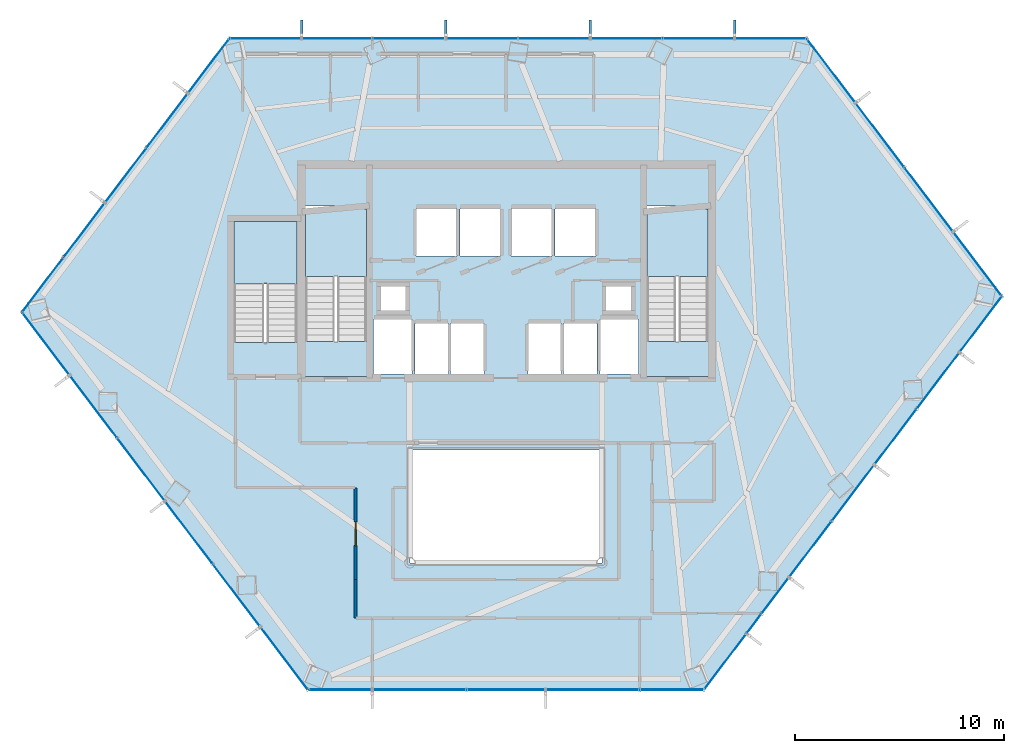
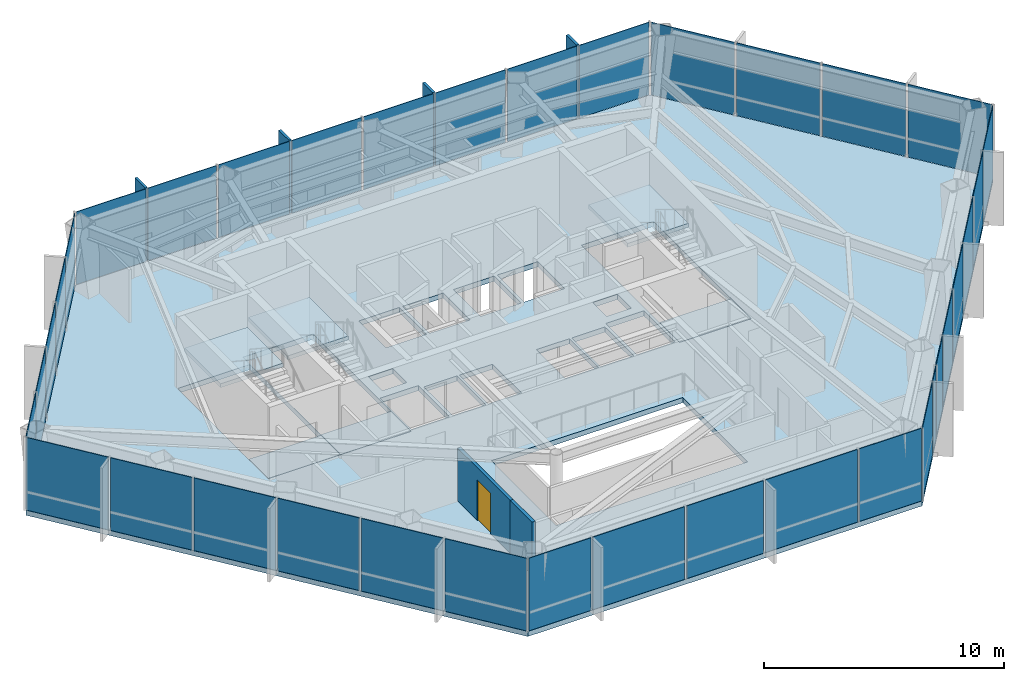
# One storey, part 21 of 25: 36 plates, 7 slabs, 4 members, 2 walls, 1 door, 1 opening, 9 elements without a shape of their own.
"""IFC4 building model written with IfcOpenShell, lengths in metres."""

from ifc_helpers import new_model, si_unit, direction, frame, frame_2d, origin, origin_2d, place, context, subcontext, project, spatial, polyline, rectangle, outline, extrude, material, layer, layer_set, material_profile, profile_set, type_object, element, fill, aggregate, save


model = new_model("IFC4")

# Units and contexts
model_context = context("Model", 3, precision=1e-05, world=origin(), true_north=direction((0.0, 1.0)))
body_context = subcontext(model_context, "Body", "Model", "MODEL_VIEW")
ifc_project = project(units=[si_unit("LENGTHUNIT", "METRE"), si_unit("AREAUNIT", "SQUARE_METRE"), si_unit("VOLUMEUNIT", "CUBIC_METRE"), si_unit("PLANEANGLEUNIT", "RADIAN"), si_unit("MASSUNIT", "GRAM", prefix="KILO")], contexts=[model_context])

# Site, building, storey
site_placement = place(None, origin())
site = spatial("IfcSite", under=ifc_project, at=site_placement, CompositionType="ELEMENT")
building_placement = place(site_placement, origin())
building = spatial("IfcBuilding", under=site, at=building_placement, Name="Zarrinselat Tower", CompositionType="ELEMENT")
storey_placement = place(building_placement, frame((0.0, 0.0, 105.06005859375)))
storey = spatial("IfcBuildingStorey", under=building, at=storey_placement, Name="L25", CompositionType="ELEMENT", Elevation=105.06005859375)

# Curtain wall, members, plates
ifc_material_1 = material(Name="Extruded Aluminium Alloy EN AW-6063 T6", Category="aluminium")
ifc_layer_1 = layer(ifc_material_1, 0.18505859375)
ifc_layer_set_1 = layer_set([ifc_layer_1], Name="Extruded Aluminium Alloy EN AW-6063 T6")
curtain_wall_type = type_object("IfcCurtainWallType", Name="CWS-OFF", PredefinedType="NOTDEFINED", material=ifc_layer_set_1)
curtain_wall_1_placement = place(storey_placement, origin())
curtain_wall_1 = element("IfcCurtainWall", 1, at=curtain_wall_1_placement, inside=storey, type_object=curtain_wall_type, Name="L25 Unitised Curtain Wall CW-L25-E01", PredefinedType="NOTDEFINED")
ifc_material_2 = material(Name="Honed Cream Travertine Stone", Category="masonry")
ifc_material_profile = material_profile(ifc_material_2, rectangle(XDim=0.1201171875, YDim=0.85009765625, at=origin_2d()), Name="FIN 850x120")
ifc_profile_set = profile_set([ifc_material_profile], Name="Honed Cream Travertine Stone")
member_type = type_object("IfcMemberType", Name="MEM-STONE-FIN", PredefinedType="USERDEFINED", material=ifc_profile_set)
member_1_placement = place(storey_placement, frame((49.340576171875, 49.9599609375, 0.0), z_axis=(0.0, 0.0, 1.0), x_axis=(1.0, 0.0, 0.0)))
member_1 = element("IfcMember", 2, at=member_1_placement, type_object=member_type, Name="L25 Stone Shading Fin CW-L25-E01-01", ObjectType="FIN", PredefinedType="USERDEFINED", context=body_context, shape_type="SweptSolid", body=[
    extrude(rectangle(XDim=0.1201171875, YDim=0.85009765625, at=origin_2d()), origin(), (0.0, 0.0, 1.0), 3.72998046875),
])
member_2_placement = place(storey_placement, frame((42.432861328125, 49.9599609375, 0.0), z_axis=(0.0, 0.0, 1.0), x_axis=(1.0, 0.0, 0.0)))
member_2 = element("IfcMember", 3, at=member_2_placement, type_object=member_type, Name="L25 Stone Shading Fin CW-L25-E01-03", ObjectType="FIN", PredefinedType="USERDEFINED", context=body_context, shape_type="SweptSolid", body=[
    extrude(rectangle(XDim=0.1201171875, YDim=0.85009765625, at=origin_2d()), origin(), (0.0, 0.0, 1.0), 3.72998046875),
])
member_3_placement = place(storey_placement, frame((35.525146484375, 49.9599609375, 0.0), z_axis=(0.0, 0.0, 1.0), x_axis=(1.0, 0.0, 0.0)))
member_3 = element("IfcMember", 4, at=member_3_placement, type_object=member_type, Name="L25 Stone Shading Fin CW-L25-E01-05", ObjectType="FIN", PredefinedType="USERDEFINED", context=body_context, shape_type="SweptSolid", body=[
    extrude(rectangle(XDim=0.1201171875, YDim=0.85009765625, at=origin_2d()), origin(), (0.0, 0.0, 1.0), 3.72998046875),
])
member_4_placement = place(storey_placement, frame((28.617431640625, 49.9599609375, 0.0), z_axis=(0.0, 0.0, 1.0), x_axis=(1.0, 0.0, 0.0)))
member_4 = element("IfcMember", 5, at=member_4_placement, type_object=member_type, Name="L25 Stone Shading Fin CW-L25-E01-07", ObjectType="FIN", PredefinedType="USERDEFINED", context=body_context, shape_type="SweptSolid", body=[
    extrude(rectangle(XDim=0.1201171875, YDim=0.85009765625, at=origin_2d()), origin(), (0.0, 0.0, 1.0), 3.72998046875),
])
ifc_material_3 = material(Name="Double Low-E Laminated Solar Glass", Category="glass")
ifc_layer_2 = layer(ifc_material_3, 0.031982421875)
ifc_layer_set_2 = layer_set([ifc_layer_2], Name="Double Low-E Laminated Solar Glass")
plate_type = type_object("IfcPlateType", Name="PLT-CW-GL32", PredefinedType="CURTAIN_PANEL", material=ifc_layer_set_2)
plate_1_placement = place(storey_placement, frame((51.067626953125, 49.5, 0.02001953125), z_axis=(0.0, 0.0, 1.0), x_axis=(-1.0, 0.0, 0.0)))
plate_1 = element("IfcPlate", 6, at=plate_1_placement, type_object=plate_type, Name="CW-L25-E01 Vision Glass Panel 1", PredefinedType="CURTAIN_PANEL", context=body_context, shape_type="SweptSolid", body=[
    extrude(rectangle(XDim=3.35400390625, YDim=0.031982421875, at=origin_2d()), origin(), (0.0, 0.0, 1.0), 3.68994140625),
])
plate_2_placement = place(storey_placement, frame((47.61376953125, 49.5, 0.02001953125), z_axis=(0.0, 0.0, 1.0), x_axis=(-1.0, 0.0, 0.0)))
plate_2 = element("IfcPlate", 7, at=plate_2_placement, type_object=plate_type, Name="CW-L25-E01 Vision Glass Panel 2", PredefinedType="CURTAIN_PANEL", context=body_context, shape_type="SweptSolid", body=[
    extrude(rectangle(XDim=3.35400390625, YDim=0.031982421875, at=origin_2d()), origin(), (0.0, 0.0, 1.0), 3.68994140625),
])
plate_3_placement = place(storey_placement, frame((44.159912109375, 49.5, 0.02001953125), z_axis=(0.0, 0.0, 1.0), x_axis=(-1.0, 0.0, 0.0)))
plate_3 = element("IfcPlate", 8, at=plate_3_placement, type_object=plate_type, Name="CW-L25-E01 Vision Glass Panel 3", PredefinedType="CURTAIN_PANEL", context=body_context, shape_type="SweptSolid", body=[
    extrude(rectangle(XDim=3.35400390625, YDim=0.031982421875, at=origin_2d()), origin(), (0.0, 0.0, 1.0), 3.68994140625),
])
plate_4_placement = place(storey_placement, frame((40.7060546875, 49.5, 0.02001953125), z_axis=(0.0, 0.0, 1.0), x_axis=(-1.0, 0.0, 0.0)))
plate_4 = element("IfcPlate", 9, at=plate_4_placement, type_object=plate_type, Name="CW-L25-E01 Vision Glass Panel 4", PredefinedType="CURTAIN_PANEL", context=body_context, shape_type="SweptSolid", body=[
    extrude(rectangle(XDim=3.35400390625, YDim=0.031982421875, at=origin_2d()), origin(), (0.0, 0.0, 1.0), 3.68994140625),
])
plate_5_placement = place(storey_placement, frame((37.252197265625, 49.5, 0.02001953125), z_axis=(0.0, 0.0, 1.0), x_axis=(-1.0, 0.0, 0.0)))
plate_5 = element("IfcPlate", 10, at=plate_5_placement, type_object=plate_type, Name="CW-L25-E01 Vision Glass Panel 5", PredefinedType="CURTAIN_PANEL", context=body_context, shape_type="SweptSolid", body=[
    extrude(rectangle(XDim=3.35400390625, YDim=0.031982421875, at=origin_2d()), origin(), (0.0, 0.0, 1.0), 3.68994140625),
])
plate_6_placement = place(storey_placement, frame((33.7626953125, 49.5, 0.02001953125), z_axis=(0.0, 0.0, 1.0), x_axis=(-1.0, 0.0, 0.0)))
plate_6 = element("IfcPlate", 11, at=plate_6_placement, type_object=plate_type, Name="CW-L25-E01 Vision Glass Panel 6", PredefinedType="CURTAIN_PANEL", context=body_context, shape_type="SweptSolid", body=[
    extrude(rectangle(XDim=3.42529296875, YDim=0.031982421875, at=origin_2d()), origin(), (0.0, 0.0, 1.0), 3.68994140625),
])
plate_7_placement = place(storey_placement, frame((30.30859375, 49.5, 0.02001953125), z_axis=(0.0, 0.0, 1.0), x_axis=(-1.0, 0.0, 0.0)))
plate_7 = element("IfcPlate", 12, at=plate_7_placement, type_object=plate_type, Name="CW-L25-E01 Vision Glass Panel 7", PredefinedType="CURTAIN_PANEL", context=body_context, shape_type="SweptSolid", body=[
    extrude(rectangle(XDim=3.282470703125, YDim=0.031982421875, at=origin_2d()), origin(), (0.0, 0.0, 1.0), 3.68994140625),
])
plate_8_placement = place(storey_placement, frame((26.890380859375, 49.5, 0.02001953125), z_axis=(0.0, 0.0, 1.0), x_axis=(-1.0, 0.0, 0.0)))
plate_8 = element("IfcPlate", 13, at=plate_8_placement, type_object=plate_type, Name="CW-L25-E01 Vision Glass Panel 8", PredefinedType="CURTAIN_PANEL", context=body_context, shape_type="SweptSolid", body=[
    extrude(rectangle(XDim=3.35400390625, YDim=0.031982421875, at=origin_2d()), origin(), (0.0, 0.0, 1.0), 3.68994140625),
])
aggregate(curtain_wall_1, [member_1, member_2, member_3, member_4, plate_1, plate_2, plate_3, plate_4, plate_5, plate_6, plate_7, plate_8])

# Curtain wall, plates
curtain_wall_2_placement = place(storey_placement, origin())
curtain_wall_2 = element("IfcCurtainWall", 14, at=curtain_wall_2_placement, inside=storey, type_object=curtain_wall_type, Name="L25 Unitised Curtain Wall CW-L25-E02", PredefinedType="NOTDEFINED")
plate_9_placement = place(storey_placement, frame((24.1708984375, 48.189697265625, 0.02001953125), z_axis=(0.0, 0.0, 1.0), x_axis=(-0.603854877249, -0.7970942775, 0.0)))
plate_9 = element("IfcPlate", 15, at=plate_9_placement, type_object=plate_type, Name="CW-L25-E02 Vision Glass Panel 1", PredefinedType="CURTAIN_PANEL", context=body_context, shape_type="SweptSolid", body=[
    extrude(rectangle(XDim=3.18798828125, YDim=0.031982421875, at=origin_2d()), origin(), (0.0, 0.0, 1.0), 3.68994140625),
])
plate_10_placement = place(storey_placement, frame((22.185302734375, 45.56884765625, 0.02001953125), z_axis=(0.0, 0.0, 1.0), x_axis=(-0.603854877249, -0.7970942775, 0.0)))
plate_10 = element("IfcPlate", 16, at=plate_10_placement, type_object=plate_type, Name="CW-L25-E02 Vision Glass Panel 2", PredefinedType="CURTAIN_PANEL", context=body_context, shape_type="SweptSolid", body=[
    extrude(rectangle(XDim=3.18798828125, YDim=0.031982421875, at=origin_2d()), origin(), (0.0, 0.0, 1.0), 3.68994140625),
])
plate_11_placement = place(storey_placement, frame((20.199951171875, 42.947998046875, 0.02001953125), z_axis=(0.0, 0.0, 1.0), x_axis=(-0.603854877249, -0.7970942775, 0.0)))
plate_11 = element("IfcPlate", 17, at=plate_11_placement, type_object=plate_type, Name="CW-L25-E02 Vision Glass Panel 3", PredefinedType="CURTAIN_PANEL", context=body_context, shape_type="SweptSolid", body=[
    extrude(rectangle(XDim=3.18798828125, YDim=0.031982421875, at=origin_2d()), origin(), (0.0, 0.0, 1.0), 3.68994140625),
])
plate_12_placement = place(storey_placement, frame((18.214599609375, 40.3271484375, 0.02001953125), z_axis=(0.0, 0.0, 1.0), x_axis=(-0.603854877249, -0.7970942775, 0.0)))
plate_12 = element("IfcPlate", 18, at=plate_12_placement, type_object=plate_type, Name="CW-L25-E02 Vision Glass Panel 4", PredefinedType="CURTAIN_PANEL", context=body_context, shape_type="SweptSolid", body=[
    extrude(rectangle(XDim=3.18798828125, YDim=0.031982421875, at=origin_2d()), origin(), (0.0, 0.0, 1.0), 3.68994140625),
])
plate_13_placement = place(storey_placement, frame((16.22900390625, 37.706298828125, 0.02001953125), z_axis=(0.0, 0.0, 1.0), x_axis=(-0.603854877249, -0.7970942775, 0.0)))
plate_13 = element("IfcPlate", 19, at=plate_13_placement, type_object=plate_type, Name="CW-L25-E02 Vision Glass Panel 5", PredefinedType="CURTAIN_PANEL", context=body_context, shape_type="SweptSolid", body=[
    extrude(rectangle(XDim=3.18798828125, YDim=0.031982421875, at=origin_2d()), origin(), (0.0, 0.0, 1.0), 3.68994140625),
])
aggregate(curtain_wall_2, [plate_9, plate_10, plate_11, plate_12, plate_13])

curtain_wall_3_placement = place(storey_placement, origin())
curtain_wall_3 = element("IfcCurtainWall", 20, at=curtain_wall_3_placement, inside=storey, type_object=curtain_wall_type, Name="L25 Unitised Curtain Wall CW-L25-E03", PredefinedType="NOTDEFINED")
plate_14_placement = place(storey_placement, frame((16.377197265625, 34.89013671875, 0.02001953125), z_axis=(0.0, 0.0, 1.0), x_axis=(0.603857772927, -0.797092083812, 0.0)))
plate_14 = element("IfcPlate", 21, at=plate_14_placement, type_object=plate_type, Name="CW-L25-E03 Vision Glass Panel 1", PredefinedType="CURTAIN_PANEL", context=body_context, shape_type="SweptSolid", body=[
    extrude(rectangle(XDim=3.678466796875, YDim=0.031982421875, at=origin_2d()), origin(), (0.0, 0.0, 1.0), 3.68994140625),
])
plate_15_placement = place(storey_placement, frame((18.65869140625, 31.87841796875, 0.02001953125), z_axis=(0.0, 0.0, 1.0), x_axis=(0.603857772927, -0.797092083812, 0.0)))
plate_15 = element("IfcPlate", 22, at=plate_15_placement, type_object=plate_type, Name="CW-L25-E03 Vision Glass Panel 2", PredefinedType="CURTAIN_PANEL", context=body_context, shape_type="SweptSolid", body=[
    extrude(rectangle(XDim=3.678466796875, YDim=0.031982421875, at=origin_2d()), origin(), (0.0, 0.0, 1.0), 3.68994140625),
])
plate_16_placement = place(storey_placement, frame((20.9404296875, 28.86669921875, 0.02001953125), z_axis=(0.0, 0.0, 1.0), x_axis=(0.603857772927, -0.797092083812, 0.0)))
plate_16 = element("IfcPlate", 23, at=plate_16_placement, type_object=plate_type, Name="CW-L25-E03 Vision Glass Panel 3", PredefinedType="CURTAIN_PANEL", context=body_context, shape_type="SweptSolid", body=[
    extrude(rectangle(XDim=3.678466796875, YDim=0.031982421875, at=origin_2d()), origin(), (0.0, 0.0, 1.0), 3.68994140625),
])
plate_17_placement = place(storey_placement, frame((23.22216796875, 25.85498046875, 0.02001953125), z_axis=(0.0, 0.0, 1.0), x_axis=(0.603857772927, -0.797092083812, 0.0)))
plate_17 = element("IfcPlate", 24, at=plate_17_placement, type_object=plate_type, Name="CW-L25-E03 Vision Glass Panel 4", PredefinedType="CURTAIN_PANEL", context=body_context, shape_type="SweptSolid", body=[
    extrude(rectangle(XDim=3.678466796875, YDim=0.031982421875, at=origin_2d()), origin(), (0.0, 0.0, 1.0), 3.68994140625),
])
plate_18_placement = place(storey_placement, frame((25.503662109375, 22.84326171875, 0.02001953125), z_axis=(0.0, 0.0, 1.0), x_axis=(0.603857772927, -0.797092083812, 0.0)))
plate_18 = element("IfcPlate", 25, at=plate_18_placement, type_object=plate_type, Name="CW-L25-E03 Vision Glass Panel 5", PredefinedType="CURTAIN_PANEL", context=body_context, shape_type="SweptSolid", body=[
    extrude(rectangle(XDim=3.678466796875, YDim=0.031982421875, at=origin_2d()), origin(), (0.0, 0.0, 1.0), 3.68994140625),
])
plate_19_placement = place(storey_placement, frame((27.785400390625, 19.83154296875, 0.02001953125), z_axis=(0.0, 0.0, 1.0), x_axis=(0.603857772927, -0.797092083812, 0.0)))
plate_19 = element("IfcPlate", 26, at=plate_19_placement, type_object=plate_type, Name="CW-L25-E03 Vision Glass Panel 6", PredefinedType="CURTAIN_PANEL", context=body_context, shape_type="SweptSolid", body=[
    extrude(rectangle(XDim=3.678466796875, YDim=0.031982421875, at=origin_2d()), origin(), (0.0, 0.0, 1.0), 3.68994140625),
])
aggregate(curtain_wall_3, [plate_14, plate_15, plate_16, plate_17, plate_18, plate_19])

curtain_wall_4_placement = place(storey_placement, origin())
curtain_wall_4 = element("IfcCurtainWall", 27, at=curtain_wall_4_placement, inside=storey, type_object=curtain_wall_type, Name="L25 Unitised Curtain Wall CW-L25-E04", PredefinedType="NOTDEFINED")
plate_20_placement = place(storey_placement, frame((30.463134765625, 18.32568359375, 0.02001953125), z_axis=(0.0, 0.0, 1.0), x_axis=(1.0, 0.0, 0.0)))
plate_20 = element("IfcPlate", 28, at=plate_20_placement, type_object=plate_type, Name="CW-L25-E04 Vision Glass Panel 1", PredefinedType="CURTAIN_PANEL", context=body_context, shape_type="SweptSolid", body=[
    extrude(rectangle(XDim=2.973876953125, YDim=0.031982421875, at=origin_2d()), origin(), (0.0, 0.0, 1.0), 3.68994140625),
])
plate_21_placement = place(storey_placement, frame((34.252685546875, 18.32568359375, 0.02001953125), z_axis=(0.0, 0.0, 1.0), x_axis=(1.0, 0.0, 0.0)))
plate_21 = element("IfcPlate", 29, at=plate_21_placement, type_object=plate_type, Name="CW-L25-E04 Vision Glass Panel 2", PredefinedType="CURTAIN_PANEL", context=body_context, shape_type="SweptSolid", body=[
    extrude(rectangle(XDim=4.4052734375, YDim=0.031982421875, at=origin_2d()), origin(), (0.0, 0.0, 1.0), 3.68994140625),
])
plate_22_placement = place(storey_placement, frame((38.39990234375, 18.32568359375, 0.02001953125), z_axis=(0.0, 0.0, 1.0), x_axis=(1.0, 0.0, 0.0)))
plate_22 = element("IfcPlate", 30, at=plate_22_placement, type_object=plate_type, Name="CW-L25-E04 Vision Glass Panel 3", PredefinedType="CURTAIN_PANEL", context=body_context, shape_type="SweptSolid", body=[
    extrude(rectangle(XDim=3.689697265625, YDim=0.031982421875, at=origin_2d()), origin(), (0.0, 0.0, 1.0), 3.68994140625),
])
plate_23_placement = place(storey_placement, frame((42.54736328125, 18.32568359375, 0.02001953125), z_axis=(0.0, 0.0, 1.0), x_axis=(1.0, 0.0, 0.0)))
plate_23 = element("IfcPlate", 31, at=plate_23_placement, type_object=plate_type, Name="CW-L25-E04 Vision Glass Panel 4", PredefinedType="CURTAIN_PANEL", context=body_context, shape_type="SweptSolid", body=[
    extrude(rectangle(XDim=4.4052734375, YDim=0.031982421875, at=origin_2d()), origin(), (0.0, 0.0, 1.0), 3.68994140625),
])
plate_24_placement = place(storey_placement, frame((46.3369140625, 18.32568359375, 0.02001953125), z_axis=(0.0, 0.0, 1.0), x_axis=(1.0, 0.0, 0.0)))
plate_24 = element("IfcPlate", 32, at=plate_24_placement, type_object=plate_type, Name="CW-L25-E04 Vision Glass Panel 5", PredefinedType="CURTAIN_PANEL", context=body_context, shape_type="SweptSolid", body=[
    extrude(rectangle(XDim=2.973876953125, YDim=0.031982421875, at=origin_2d()), origin(), (0.0, 0.0, 1.0), 3.68994140625),
])
aggregate(curtain_wall_4, [plate_20, plate_21, plate_22, plate_23, plate_24])

curtain_wall_5_placement = place(storey_placement, origin())
curtain_wall_5 = element("IfcCurtainWall", 33, at=curtain_wall_5_placement, inside=storey, type_object=curtain_wall_type, Name="L25 Unitised Curtain Wall CW-L25-E05", PredefinedType="NOTDEFINED")
plate_25_placement = place(storey_placement, frame((48.89306640625, 19.6708984375, 0.02001953125), z_axis=(0.0, 0.0, 1.0), x_axis=(0.603858013909, 0.79709190125, 0.0)))
plate_25 = element("IfcPlate", 34, at=plate_25_placement, type_object=plate_type, Name="CW-L25-E05 Vision Glass Panel 1", PredefinedType="CURTAIN_PANEL", context=body_context, shape_type="SweptSolid", body=[
    extrude(rectangle(XDim=3.275634765625, YDim=0.031982421875, at=origin_2d()), origin(), (0.0, 0.0, 1.0), 3.68994140625),
])
plate_26_placement = place(storey_placement, frame((50.271240234375, 21.489990234375, 0.02001953125), z_axis=(0.0, 0.0, 1.0), x_axis=(0.603858013909, 0.79709190125, 0.0)))
plate_26 = element("IfcPlate", 35, at=plate_26_placement, type_object=plate_type, Name="CW-L25-E05 Vision Glass Panel 2", PredefinedType="CURTAIN_PANEL", context=body_context, shape_type="SweptSolid", body=[
    extrude(rectangle(XDim=1.088623046875, YDim=0.031982421875, at=origin_2d()), origin(), (0.0, 0.0, 1.0), 3.68994140625),
])
plate_27_placement = place(storey_placement, frame((51.290283203125, 22.83544921875, 0.02001953125), z_axis=(0.0, 0.0, 1.0), x_axis=(0.603858013909, 0.79709190125, 0.0)))
plate_27 = element("IfcPlate", 36, at=plate_27_placement, type_object=plate_type, Name="CW-L25-E05 Vision Glass Panel 3", PredefinedType="CURTAIN_PANEL", context=body_context, shape_type="SweptSolid", body=[
    extrude(rectangle(XDim=2.0869140625, YDim=0.031982421875, at=origin_2d()), origin(), (0.0, 0.0, 1.0), 3.68994140625),
])
plate_28_placement = place(storey_placement, frame((52.969970703125, 25.05224609375, 0.02001953125), z_axis=(0.0, 0.0, 1.0), x_axis=(0.603858013909, 0.79709190125, 0.0)))
plate_28 = element("IfcPlate", 37, at=plate_28_placement, type_object=plate_type, Name="CW-L25-E05 Vision Glass Panel 4", PredefinedType="CURTAIN_PANEL", context=body_context, shape_type="SweptSolid", body=[
    extrude(rectangle(XDim=3.275634765625, YDim=0.031982421875, at=origin_2d()), origin(), (0.0, 0.0, 1.0), 3.68994140625),
])
plate_29_placement = place(storey_placement, frame((55.00830078125, 27.742919921875, 0.02001953125), z_axis=(0.0, 0.0, 1.0), x_axis=(0.603858013909, 0.79709190125, 0.0)))
plate_29 = element("IfcPlate", 38, at=plate_29_placement, type_object=plate_type, Name="CW-L25-E05 Vision Glass Panel 5", PredefinedType="CURTAIN_PANEL", context=body_context, shape_type="SweptSolid", body=[
    extrude(rectangle(XDim=3.275634765625, YDim=0.031982421875, at=origin_2d()), origin(), (0.0, 0.0, 1.0), 3.68994140625),
])
plate_30_placement = place(storey_placement, frame((57.046630859375, 30.43359375, 0.02001953125), z_axis=(0.0, 0.0, 1.0), x_axis=(0.603858013909, 0.79709190125, 0.0)))
plate_30 = element("IfcPlate", 39, at=plate_30_placement, type_object=plate_type, Name="CW-L25-E05 Vision Glass Panel 6", PredefinedType="CURTAIN_PANEL", context=body_context, shape_type="SweptSolid", body=[
    extrude(rectangle(XDim=3.275634765625, YDim=0.031982421875, at=origin_2d()), origin(), (0.0, 0.0, 1.0), 3.68994140625),
])
plate_31_placement = place(storey_placement, frame((59.085205078125, 33.12451171875, 0.02001953125), z_axis=(0.0, 0.0, 1.0), x_axis=(0.603858013909, 0.79709190125, 0.0)))
plate_31 = element("IfcPlate", 40, at=plate_31_placement, type_object=plate_type, Name="CW-L25-E05 Vision Glass Panel 7", PredefinedType="CURTAIN_PANEL", context=body_context, shape_type="SweptSolid", body=[
    extrude(rectangle(XDim=3.275634765625, YDim=0.031982421875, at=origin_2d()), origin(), (0.0, 0.0, 1.0), 3.68994140625),
])
plate_32_placement = place(storey_placement, frame((61.12353515625, 35.815185546875, 0.02001953125), z_axis=(0.0, 0.0, 1.0), x_axis=(0.603858013909, 0.79709190125, 0.0)))
plate_32 = element("IfcPlate", 41, at=plate_32_placement, type_object=plate_type, Name="CW-L25-E05 Vision Glass Panel 8", PredefinedType="CURTAIN_PANEL", context=body_context, shape_type="SweptSolid", body=[
    extrude(rectangle(XDim=3.275634765625, YDim=0.031982421875, at=origin_2d()), origin(), (0.0, 0.0, 1.0), 3.68994140625),
])
aggregate(curtain_wall_5, [plate_25, plate_26, plate_27, plate_28, plate_29, plate_30, plate_31, plate_32])

curtain_wall_6_placement = place(storey_placement, origin())
curtain_wall_6 = element("IfcCurtainWall", 42, at=curtain_wall_6_placement, inside=storey, type_object=curtain_wall_type, Name="L25 Unitised Curtain Wall CW-L25-E06", PredefinedType="NOTDEFINED")
plate_33_placement = place(storey_placement, frame((60.97412109375, 38.702880859375, 0.02001953125), z_axis=(0.0, 0.0, 1.0), x_axis=(-0.6038584342, 0.797091582847, 0.0)))
plate_33 = element("IfcPlate", 43, at=plate_33_placement, type_object=plate_type, Name="CW-L25-E06 Vision Glass Panel 1", PredefinedType="CURTAIN_PANEL", context=body_context, shape_type="SweptSolid", body=[
    extrude(rectangle(XDim=3.770263671875, YDim=0.031982421875, at=origin_2d()), origin(), (0.0, 0.0, 1.0), 3.68994140625),
])
plate_34_placement = place(storey_placement, frame((58.63720703125, 41.787841796875, 0.02001953125), z_axis=(0.0, 0.0, 1.0), x_axis=(-0.6038584342, 0.797091582847, 0.0)))
plate_34 = element("IfcPlate", 44, at=plate_34_placement, type_object=plate_type, Name="CW-L25-E06 Vision Glass Panel 2", PredefinedType="CURTAIN_PANEL", context=body_context, shape_type="SweptSolid", body=[
    extrude(rectangle(XDim=3.770263671875, YDim=0.031982421875, at=origin_2d()), origin(), (0.0, 0.0, 1.0), 3.68994140625),
])
plate_35_placement = place(storey_placement, frame((56.300048828125, 44.872802734375, 0.02001953125), z_axis=(0.0, 0.0, 1.0), x_axis=(-0.6038584342, 0.797091582847, 0.0)))
plate_35 = element("IfcPlate", 45, at=plate_35_placement, type_object=plate_type, Name="CW-L25-E06 Vision Glass Panel 3", PredefinedType="CURTAIN_PANEL", context=body_context, shape_type="SweptSolid", body=[
    extrude(rectangle(XDim=3.770263671875, YDim=0.031982421875, at=origin_2d()), origin(), (0.0, 0.0, 1.0), 3.68994140625),
])
plate_36_placement = place(storey_placement, frame((53.962890625, 47.95751953125, 0.02001953125), z_axis=(0.0, 0.0, 1.0), x_axis=(-0.6038584342, 0.797091582847, 0.0)))
plate_36 = element("IfcPlate", 46, at=plate_36_placement, type_object=plate_type, Name="CW-L25-E06 Vision Glass Panel 4", PredefinedType="CURTAIN_PANEL", context=body_context, shape_type="SweptSolid", body=[
    extrude(rectangle(XDim=3.770263671875, YDim=0.031982421875, at=origin_2d()), origin(), (0.0, 0.0, 1.0), 3.68994140625),
])
aggregate(curtain_wall_6, [plate_33, plate_34, plate_35, plate_36])

# Slabs
ifc_material_4 = material(Name="Concrete C40/50", Category="concrete")
ifc_layer_3 = layer(ifc_material_4, 0.260009765625)
ifc_layer_set_3 = layer_set([ifc_layer_3], Name="Concrete C40/50")
slab_type_1 = type_object("IfcSlabType", Name="SLB-FLOOR-260-SL-OF260", PredefinedType="FLOOR", material=ifc_layer_set_3)
slab_1_placement = place(storey_placement, frame((0.0, 0.0, -0.260009765625)))
element("IfcSlab", 47, at=slab_1_placement, inside=storey, type_object=slab_type_1, Name="L25 Primary Structural Slab", PredefinedType="FLOOR", context=body_context, shape_type="SweptSolid", body=[
    extrude(outline(polyline([(52.79443359375, 49.5), (25.16357421875, 49.5), (15.236328125, 36.39599609375), (28.926025390625, 18.32568359375), (47.873779296875, 18.32568359375), (62.142578125, 37.160400390625), (52.79443359375, 49.5)]), holes=[polyline([(34.050048828125, 33.449951171875), (34.050048828125, 35.85009765625), (35.64990234375, 35.85009765625), (35.64990234375, 33.449951171875), (34.050048828125, 33.449951171875)]), polyline([(35.75, 33.449951171875), (35.75, 35.85009765625), (37.35009765625, 35.85009765625), (37.35009765625, 33.449951171875), (35.75, 33.449951171875)]), polyline([(32.06005859375, 33.449951171875), (32.06005859375, 36.050048828125), (33.89990234375, 36.050048828125), (33.89990234375, 33.449951171875), (32.06005859375, 33.449951171875)]), polyline([(32.419921875, 36.47998046875), (32.419921875, 37.639892578125), (33.60009765625, 37.639892578125), (33.60009765625, 36.47998046875), (32.419921875, 36.47998046875)]), polyline([(28.594970703125, 33.324951171875), (25.114990234375, 33.324951171875), (25.114990234375, 40.875), (28.594970703125, 40.875), (28.594970703125, 33.324951171875)]), polyline([(31.985107421875, 33.324951171875), (28.60498046875, 33.324951171875), (28.60498046875, 41.47509765625), (31.985107421875, 41.47509765625), (31.985107421875, 33.324951171875)]), polyline([(34.10009765625, 39.10009765625), (34.10009765625, 41.35009765625), (36.050048828125, 41.35009765625), (36.050048828125, 39.10009765625), (34.10009765625, 39.10009765625)]), polyline([(36.199951171875, 39.10009765625), (36.199951171875, 41.35009765625), (38.14990234375, 41.35009765625), (38.14990234375, 39.10009765625), (36.199951171875, 39.10009765625)]), polyline([(33.800048828125, 24.39990234375), (33.800048828125, 29.800048828125), (43.0, 29.800048828125), (43.0, 24.39990234375), (33.800048828125, 24.39990234375)]), polyline([(39.449951171875, 33.449951171875), (39.449951171875, 35.85009765625), (41.050048828125, 35.85009765625), (41.050048828125, 33.449951171875), (39.449951171875, 33.449951171875)]), polyline([(41.14990234375, 33.449951171875), (41.14990234375, 35.85009765625), (42.75, 35.85009765625), (42.75, 33.449951171875), (41.14990234375, 33.449951171875)]), polyline([(42.89990234375, 33.449951171875), (42.89990234375, 36.050048828125), (44.739990234375, 36.050048828125), (44.739990234375, 33.449951171875), (42.89990234375, 33.449951171875)]), polyline([(43.199951171875, 36.47998046875), (43.199951171875, 37.639892578125), (44.3798828125, 37.639892578125), (44.3798828125, 36.47998046875), (43.199951171875, 36.47998046875)]), polyline([(48.324951171875, 33.324951171875), (44.875, 33.324951171875), (44.875, 41.47509765625), (48.324951171875, 41.47509765625), (48.324951171875, 33.324951171875)]), polyline([(38.64990234375, 39.10009765625), (38.64990234375, 41.35009765625), (40.60009765625, 41.35009765625), (40.60009765625, 39.10009765625), (38.64990234375, 39.10009765625)]), polyline([(40.75, 39.10009765625), (40.75, 41.35009765625), (42.699951171875, 41.35009765625), (42.699951171875, 39.10009765625), (40.75, 39.10009765625)])]), origin(), (0.0, 0.0, 1.0), 0.260009765625),
])
slab_2_placement = place(storey_placement, frame((0.0, 0.0, -0.260009765625)))
element("IfcSlab", 48, at=slab_2_placement, inside=storey, type_object=slab_type_1, Name="L25 Stair ST-1-FL1 Structural Floor Landing", PredefinedType="FLOOR", context=body_context, shape_type="SweptSolid", body=[
    extrude(outline(polyline([(31.97998046875, 33.330078125), (31.97998046875, 35.0), (28.610107421875, 35.0), (28.610107421875, 33.330078125), (31.97998046875, 33.330078125)])), origin(), (0.0, 0.0, 1.0), 0.260009765625),
])
slab_3_placement = place(storey_placement, frame((0.0, 0.0, -0.260009765625)))
element("IfcSlab", 49, at=slab_3_placement, inside=storey, type_object=slab_type_1, Name="L25 Stair ST-2-FL1 Structural Floor Landing", PredefinedType="FLOOR", context=body_context, shape_type="SweptSolid", body=[
    extrude(outline(polyline([(48.320068359375, 33.330078125), (48.320068359375, 35.0), (44.8798828125, 35.0), (44.8798828125, 33.330078125), (48.320068359375, 33.330078125)])), origin(), (0.0, 0.0, 1.0), 0.260009765625),
])
slab_4_placement = place(storey_placement, frame((0.0, 0.0, -0.260009765625)))
element("IfcSlab", 50, at=slab_4_placement, inside=storey, type_object=slab_type_1, Name="L25 Stair ST-3-FL1 Structural Floor Landing", PredefinedType="FLOOR", context=body_context, shape_type="SweptSolid", body=[
    extrude(outline(polyline([(28.590087890625, 33.330078125), (28.590087890625, 34.949951171875), (25.1201171875, 34.949951171875), (25.1201171875, 33.330078125), (28.590087890625, 33.330078125)])), origin(), (0.0, 0.0, 1.0), 0.260009765625),
])

# Stair, slab
ifc_material_5 = material(Name="Concrete C40/50", Category="concrete")
stair_type_1 = type_object("IfcStairType", Name="STR-CORE-145", PredefinedType="HALF_TURN_STAIR", material=ifc_material_5)
stair_1_placement = place(storey_placement, origin())
stair_1 = element("IfcStair", 51, at=stair_1_placement, inside=storey, type_object=stair_type_1, Name="L25 Podium & Mid-Tower Exit Stair 3", PredefinedType="HALF_TURN_STAIR")
ifc_material_6 = material(Name="Concrete C40/50", Category="concrete")
ifc_layer_4 = layer(ifc_material_6, 0.1650390625)
ifc_layer_set_4 = layer_set([ifc_layer_4], Name="Concrete C40/50")
slab_type_2 = type_object("IfcSlabType", Name="SLB-LND-165", PredefinedType="LANDING", material=ifc_layer_set_4)
slab_5_placement = place(storey_placement, frame((0.0, 0.0, 1.83984375)))
slab_5 = element("IfcSlab", 52, at=slab_5_placement, type_object=slab_type_2, Name="ST-3 landing 1", PredefinedType="LANDING", context=body_context, shape_type="SweptSolid", body=[
    extrude(outline(polyline([(28.39990234375, 37.75), (28.39990234375, 40.75), (25.3798828125, 40.75), (25.3798828125, 37.75), (28.39990234375, 37.75)])), origin(), (0.0, 0.0, 1.0), 0.2001953125),
])
aggregate(stair_1, [slab_5])

ifc_material_7 = material(Name="Concrete C40/50", Category="concrete")
stair_type_2 = type_object("IfcStairType", Name="STR-CORE-155", PredefinedType="HALF_TURN_STAIR", material=ifc_material_7)
stair_2_placement = place(storey_placement, origin())
stair_2 = element("IfcStair", 53, at=stair_2_placement, inside=storey, type_object=stair_type_2, Name="L25 Core Exit Stair 1", PredefinedType="HALF_TURN_STAIR")
ifc_material_8 = material(Name="Concrete C40/50", Category="concrete")
ifc_layer_5 = layer(ifc_material_8, 0.18994140625)
ifc_layer_set_5 = layer_set([ifc_layer_5], Name="Concrete C40/50")
slab_type_3 = type_object("IfcSlabType", Name="SLB-LND-190", PredefinedType="LANDING", material=ifc_layer_set_5)
slab_6_placement = place(storey_placement, frame((0.0, 0.0, 1.83984375)))
slab_6 = element("IfcSlab", 54, at=slab_6_placement, type_object=slab_type_3, Name="ST-1 landing 1", PredefinedType="LANDING", context=body_context, shape_type="SweptSolid", body=[
    extrude(outline(polyline([(31.719970703125, 38.10009765625), (31.719970703125, 41.35009765625), (28.800048828125, 41.35009765625), (28.800048828125, 38.10009765625), (31.719970703125, 38.10009765625)])), origin(), (0.0, 0.0, 1.0), 0.2001953125),
])
aggregate(stair_2, [slab_6])

stair_3_placement = place(storey_placement, origin())
stair_3 = element("IfcStair", 55, at=stair_3_placement, inside=storey, type_object=stair_type_2, Name="L25 Core Exit Stair 2", PredefinedType="HALF_TURN_STAIR")
slab_7_placement = place(storey_placement, frame((0.0, 0.0, 1.83984375)))
slab_7 = element("IfcSlab", 56, at=slab_7_placement, type_object=slab_type_3, Name="ST-2 landing 1", PredefinedType="LANDING", context=body_context, shape_type="SweptSolid", body=[
    extrude(outline(polyline([(48.06005859375, 38.10009765625), (48.06005859375, 41.35009765625), (45.139892578125, 41.35009765625), (45.139892578125, 38.10009765625), (48.06005859375, 38.10009765625)])), origin(), (0.0, 0.0, 1.0), 0.2001953125),
])
aggregate(stair_3, [slab_7])

# Wall
ifc_material_9 = material(Name="Fire-Rated Gypsum Board Partition", Category="gypsum")
ifc_layer_6 = layer(ifc_material_9, 0.14990234375)
ifc_layer_set_6 = layer_set([ifc_layer_6], Name="Fire-Rated Gypsum Board Partition")
wall_type = type_object("IfcWallType", Name="WAL-PART-EI60", PredefinedType="PARTITIONING", material=ifc_layer_set_6)
wall_1_placement = place(storey_placement, frame((31.199951171875, 21.77001953125, 0.0), z_axis=(0.0, 0.0, 1.0), x_axis=(0.0, 1.0, 0.0)))
element("IfcWall", 57, at=wall_1_placement, inside=storey, type_object=wall_type, Name="L25 Partition Wall 20", PredefinedType="PARTITIONING", context=body_context, shape_type="SweptSolid", body=[
    extrude(rectangle(XDim=1.830078125, YDim=0.14990234375, at=frame_2d((0.9150390625, 0.0))), origin(), (0.0, 0.0, 1.0), 2.68701171875),
])

# Wall, opening, door
wall_2_placement = place(storey_placement, frame((31.199951171875, 23.60009765625, 0.0), z_axis=(0.0, 0.0, 1.0), x_axis=(0.0, 1.0, 0.0)))
wall_2 = element("IfcWall", 58, at=wall_2_placement, inside=storey, type_object=wall_type, Name="L25 Partition Wall 21", PredefinedType="PARTITIONING", context=body_context, shape_type="SweptSolid", body=[
    extrude(rectangle(XDim=4.3798828125, YDim=0.14990234375, at=frame_2d((2.18994140625, 0.0))), origin(), (0.0, 0.0, 1.0), 2.68701171875),
])
opening_placement = place(wall_2_placement, frame((1.6298828125, 0.0, 0.0)))
opening = element("IfcOpeningElement", 59, at=opening_placement, cuts=wall_2, Name="Opening ID-02", PredefinedType="OPENING", context=body_context, shape_type="SweptSolid", body=[
    extrude(rectangle(XDim=1.1201171875, YDim=2.050048828125, at=frame_2d((0.56005859375, 1.02490234375))), frame((0.0, 0.0849609375, 0.0), z_axis=(0.0, -1.0, 0.0), x_axis=(1.0, 0.0, 0.0)), (0.0, 0.0, 1.0), 0.169921875),
])
ifc_material_10 = material(Name="Steel S355J2", Category="steel")
door_type = type_object("IfcDoorType", Name="DR-INT-FD60-W", OperationType="NOTDEFINED", PredefinedType="DOOR", material=ifc_material_10)
door_placement = place(opening_placement, origin())
door = element("IfcDoor", 60, at=door_placement, inside=storey, type_object=door_type, Name="L25 Interior Door P21", OperationType="SINGLE_SWING_LEFT", OverallHeight=2.050048828125, OverallWidth=1.1201171875, PredefinedType="DOOR", context=body_context, shape_type="SweptSolid", body=[
    extrude(rectangle(XDim=1.1201171875, YDim=2.050048828125, at=frame_2d((0.56005859375, 1.02490234375))), frame((0.0, 0.02490234375, 0.0), z_axis=(0.0, -1.0, 0.0), x_axis=(1.0, 0.0, 0.0)), (0.0, 0.0, 1.0), 0.050048828125),
])
fill(opening, door)

save(model, "model.ifc")
